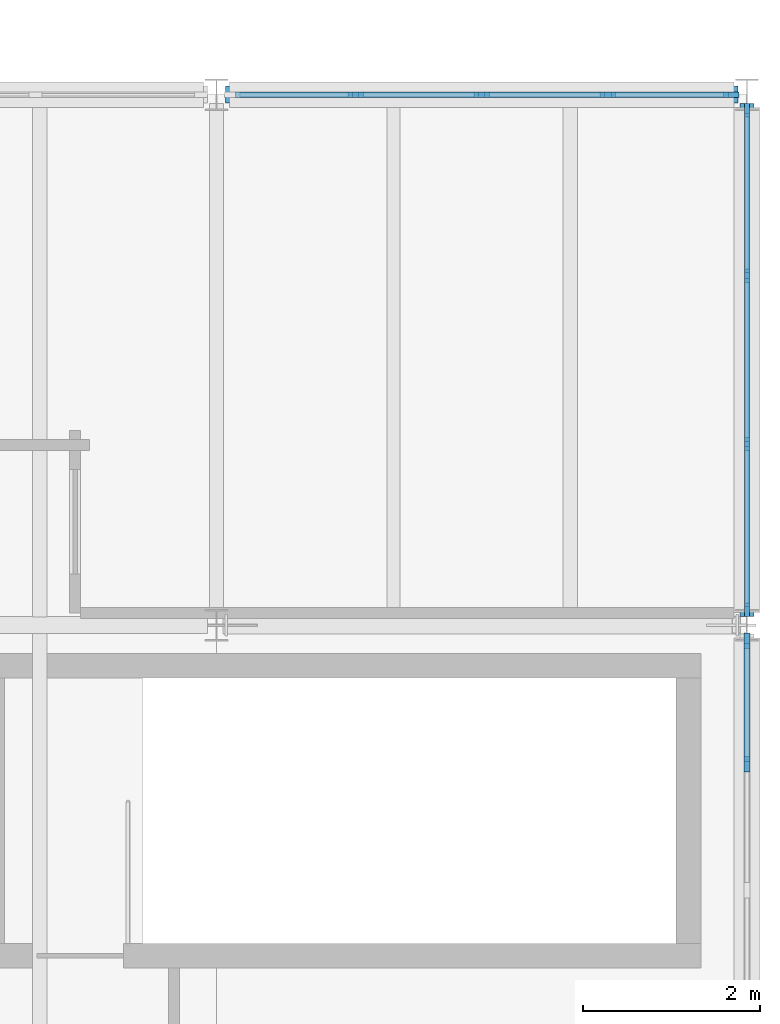
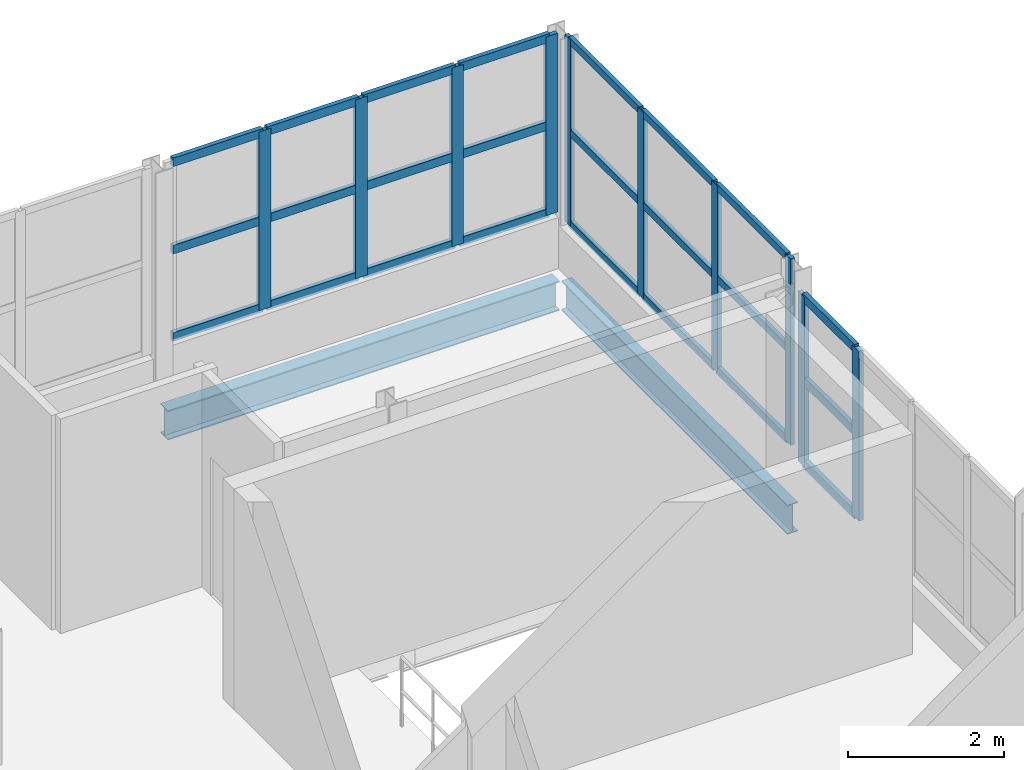
# One storey, part 9 of 20: 34 members, 2 beams, 3 elements without a shape of their own.
"""IFC4 building model written with IfcOpenShell, lengths in metres."""

from ifc_helpers import new_model, si_unit, direction, frame, origin, origin_2d, place, context, subcontext, project, spatial, rectangle, i_section, extrude, material, material_profile, profile_set, type_object, element, aggregate, save


model = new_model("IFC4")

# Units and contexts
model_context = context("Model", 3, precision=1e-05, world=origin(), true_north=direction((0.0, 1.0)))
body_context = subcontext(model_context, "Body", "Model", "MODEL_VIEW")
ifc_project = project(units=[si_unit("LENGTHUNIT", "METRE"), si_unit("AREAUNIT", "SQUARE_METRE"), si_unit("VOLUMEUNIT", "CUBIC_METRE"), si_unit("PLANEANGLEUNIT", "RADIAN"), si_unit("MASSUNIT", "GRAM", prefix="KILO")], contexts=[model_context])

# Site, building, storey
site_placement = place(None, origin())
site = spatial("IfcSite", under=ifc_project, at=site_placement, CompositionType="ELEMENT")
building_placement = place(site_placement, origin())
building = spatial("IfcBuilding", under=site, at=building_placement, Name="Siltcreek Boulevard Central Fire Station", CompositionType="ELEMENT")
storey_placement = place(building_placement, frame((0.0, 0.0, 18.0)))
storey = spatial("IfcBuildingStorey", under=building, at=storey_placement, Name="L05", CompositionType="ELEMENT", Elevation=18.0)

# Beams
ifc_material_1 = material(Name="Structural steel ASTM A992 Gr50", Category="steel")
ifc_material_profile_1 = material_profile(ifc_material_1, i_section(OverallWidth=0.154052734375, OverallDepth=0.458984375, WebThickness=0.009033203125, FlangeThickness=0.015380859375, at=origin_2d()), Name="W460X68")
ifc_profile_set_1 = profile_set([ifc_material_profile_1], Name="Structural steel ASTM A992 Gr50")
beam_type_1 = type_object("IfcBeamType", Name="BM_W460X68", PredefinedType="BEAM", material=ifc_profile_set_1)
beam_1_placement = place(storey_placement, frame((154.199951171875, 106.300048828125, -0.469482421875), z_axis=(0.0, 1.0, 0.0), x_axis=(-1.0, 0.0, 0.0)))
element("IfcBeam", 1, at=beam_1_placement, inside=storey, type_object=beam_type_1, Name="L05 primary steel girder GY-0662", PredefinedType="BEAM", context=body_context, shape_type="SweptSolid", body=[
    extrude(i_section(OverallWidth=0.154052734375, OverallDepth=0.458984375, WebThickness=0.009033203125, FlangeThickness=0.015380859375, at=origin_2d()), origin(), (0.0, 0.0, 1.0), 5.800048828125),
])
ifc_material_profile_2 = material_profile(ifc_material_1, i_section(OverallWidth=0.19189453125, OverallDepth=0.462890625, WebThickness=0.010498046875, FlangeThickness=0.017578125, at=origin_2d()), Name="W460X89")
ifc_profile_set_2 = profile_set([ifc_material_profile_2], Name="Structural steel ASTM A992 Gr50")
beam_type_2 = type_object("IfcBeamType", Name="BM_W460X89", PredefinedType="BEAM", material=ifc_profile_set_2)
beam_2_placement = place(storey_placement, frame((148.300048828125, 112.199951171875, -0.471435546875), z_axis=(1.0, 0.0, 0.0), x_axis=(0.0, 1.0, 0.0)))
element("IfcBeam", 2, at=beam_2_placement, inside=storey, type_object=beam_type_2, Name="L05 primary steel girder GX-0640", PredefinedType="BEAM", context=body_context, shape_type="SweptSolid", body=[
    extrude(i_section(OverallWidth=0.19189453125, OverallDepth=0.462890625, WebThickness=0.010498046875, FlangeThickness=0.017578125, at=origin_2d()), origin(), (0.0, 0.0, 1.0), 5.800048828125),
])

# Curtain wall, members
ifc_material_2 = material(Name="Anodized aluminum and low-E insulated glazing", Category="aluminium")
curtain_wall_type_1 = type_object("IfcCurtainWallType", Name="CW_SYS_04", PredefinedType="USERDEFINED", material=ifc_material_2)
curtain_wall_1_placement = place(storey_placement, origin())
curtain_wall_1 = element("IfcCurtainWall", 3, at=curtain_wall_1_placement, inside=storey, type_object=curtain_wall_type_1, Name="L05 V5 unitised curtain wall CW-183", ObjectType="CURTAIN WALL", PredefinedType="USERDEFINED")
ifc_material_3 = material(Name="Anodized 6063-T6 aluminum framing", Category="aluminium")
ifc_material_profile_3 = material_profile(ifc_material_3, rectangle(XDim=0.06005859375, YDim=0.14990234375, at=origin_2d()), Name="MULL60X150")
ifc_profile_set_3 = profile_set([ifc_material_profile_3], Name="Anodized 6063-T6 aluminum framing")
member_type_1 = type_object("IfcMemberType", Name="CWM_60X150", PredefinedType="MULLION", material=ifc_profile_set_3)
member_1_placement = place(storey_placement, frame((154.199951171875, 106.375, 0.679931640625), z_axis=(0.0, 0.0, 1.0), x_axis=(-1.0, 0.0, 0.0)))
member_1 = element("IfcMember", 4, at=member_1_placement, type_object=member_type_1, Name="CW-183 mullion 1", PredefinedType="MULLION", context=body_context, shape_type="SweptSolid", body=[
    extrude(rectangle(XDim=0.06005859375, YDim=0.14990234375, at=origin_2d()), origin(), (0.0, 0.0, 1.0), 2.920166015625),
])
member_2_placement = place(storey_placement, frame((154.199951171875, 108.248291015625, 0.679931640625), z_axis=(0.0, 0.0, 1.0), x_axis=(-1.0, 0.0, 0.0)))
member_2 = element("IfcMember", 5, at=member_2_placement, type_object=member_type_1, Name="CW-183 mullion 2", PredefinedType="MULLION", context=body_context, shape_type="SweptSolid", body=[
    extrude(rectangle(XDim=0.06005859375, YDim=0.14990234375, at=origin_2d()), origin(), (0.0, 0.0, 1.0), 2.920166015625),
])
member_3_placement = place(storey_placement, frame((154.199951171875, 110.151611328125, 0.679931640625), z_axis=(0.0, 0.0, 1.0), x_axis=(-1.0, 0.0, 0.0)))
member_3 = element("IfcMember", 6, at=member_3_placement, type_object=member_type_1, Name="CW-183 mullion 3", PredefinedType="MULLION", context=body_context, shape_type="SweptSolid", body=[
    extrude(rectangle(XDim=0.06005859375, YDim=0.14990234375, at=origin_2d()), origin(), (0.0, 0.0, 1.0), 2.920166015625),
])
member_4_placement = place(storey_placement, frame((154.199951171875, 112.02490234375, 0.679931640625), z_axis=(0.0, 0.0, 1.0), x_axis=(-1.0, 0.0, 0.0)))
member_4 = element("IfcMember", 7, at=member_4_placement, type_object=member_type_1, Name="CW-183 mullion 4", PredefinedType="MULLION", context=body_context, shape_type="SweptSolid", body=[
    extrude(rectangle(XDim=0.06005859375, YDim=0.14990234375, at=origin_2d()), origin(), (0.0, 0.0, 1.0), 2.920166015625),
])

curtain_wall_type_2 = type_object("IfcCurtainWallType", Name="CW_SYS_29", PredefinedType="USERDEFINED", material=ifc_material_2)
curtain_wall_2_placement = place(storey_placement, origin())
curtain_wall_2 = element("IfcCurtainWall", 8, at=curtain_wall_2_placement, inside=storey, type_object=curtain_wall_type_2, Name="L05 V5 unitised curtain wall CW-178", ObjectType="CURTAIN WALL", PredefinedType="USERDEFINED")
ifc_material_profile_4 = material_profile(ifc_material_3, rectangle(XDim=0.06494140625, YDim=0.175048828125, at=origin_2d()), Name="MULL65X175")
ifc_profile_set_4 = profile_set([ifc_material_profile_4], Name="Anodized 6063-T6 aluminum framing")
member_type_2 = type_object("IfcMemberType", Name="CWM_65X175", PredefinedType="MULLION", material=ifc_profile_set_4)
member_5_placement = place(storey_placement, frame((154.0224609375, 112.199951171875, 0.800048828125), z_axis=(0.0, 0.0, 1.0), x_axis=(0.0, -1.0, 0.0)))
member_5 = element("IfcMember", 9, at=member_5_placement, type_object=member_type_2, Name="CW-178 mullion 1", PredefinedType="MULLION", context=body_context, shape_type="SweptSolid", body=[
    extrude(rectangle(XDim=0.06494140625, YDim=0.175048828125, at=origin_2d()), origin(), (0.0, 0.0, 1.0), 2.800048828125),
])
member_6_placement = place(storey_placement, frame((152.62744140625, 112.199951171875, 0.800048828125), z_axis=(0.0, 0.0, 1.0), x_axis=(0.0, -1.0, 0.0)))
member_6 = element("IfcMember", 10, at=member_6_placement, type_object=member_type_2, Name="CW-178 mullion 2", PredefinedType="MULLION", context=body_context, shape_type="SweptSolid", body=[
    extrude(rectangle(XDim=0.06494140625, YDim=0.175048828125, at=origin_2d()), origin(), (0.0, 0.0, 1.0), 2.800048828125),
])
member_7_placement = place(storey_placement, frame((151.199951171875, 112.199951171875, 0.800048828125), z_axis=(0.0, 0.0, 1.0), x_axis=(0.0, -1.0, 0.0)))
member_7 = element("IfcMember", 11, at=member_7_placement, type_object=member_type_2, Name="CW-178 mullion 3", PredefinedType="MULLION", context=body_context, shape_type="SweptSolid", body=[
    extrude(rectangle(XDim=0.06494140625, YDim=0.175048828125, at=origin_2d()), origin(), (0.0, 0.0, 1.0), 2.800048828125),
])
member_8_placement = place(storey_placement, frame((149.7724609375, 112.199951171875, 0.800048828125), z_axis=(0.0, 0.0, 1.0), x_axis=(0.0, -1.0, 0.0)))
member_8 = element("IfcMember", 12, at=member_8_placement, type_object=member_type_2, Name="CW-178 mullion 4", PredefinedType="MULLION", context=body_context, shape_type="SweptSolid", body=[
    extrude(rectangle(XDim=0.06494140625, YDim=0.175048828125, at=origin_2d()), origin(), (0.0, 0.0, 1.0), 2.800048828125),
])

curtain_wall_type_3 = type_object("IfcCurtainWallType", Name="CW_SYS_03", PredefinedType="USERDEFINED", material=ifc_material_2)
curtain_wall_3_placement = place(storey_placement, origin())
curtain_wall_3 = element("IfcCurtainWall", 13, at=curtain_wall_3_placement, inside=storey, type_object=curtain_wall_type_3, Name="L05 V5 unitised curtain wall CW-182", ObjectType="CURTAIN WALL", PredefinedType="USERDEFINED")
member_9_placement = place(storey_placement, frame((154.199951171875, 104.62744140625, 0.56005859375), z_axis=(0.0, 0.0, 1.0), x_axis=(-1.0, 0.0, 0.0)))
member_9 = element("IfcMember", 14, at=member_9_placement, type_object=member_type_2, Name="CW-182 mullion 4", PredefinedType="MULLION", context=body_context, shape_type="SweptSolid", body=[
    extrude(rectangle(XDim=0.06494140625, YDim=0.175048828125, at=origin_2d()), origin(), (0.0, 0.0, 1.0), 2.658935546875),
])
member_10_placement = place(storey_placement, frame((154.199951171875, 106.0224609375, 0.56005859375), z_axis=(0.0, 0.0, 1.0), x_axis=(-1.0, 0.0, 0.0)))
member_10 = element("IfcMember", 15, at=member_10_placement, type_object=member_type_2, Name="CW-182 mullion 5", PredefinedType="MULLION", context=body_context, shape_type="SweptSolid", body=[
    extrude(rectangle(XDim=0.06494140625, YDim=0.175048828125, at=origin_2d()), origin(), (0.0, 0.0, 1.0), 2.658935546875),
])

# Member
ifc_material_profile_5 = material_profile(ifc_material_3, rectangle(XDim=0.06005859375, YDim=0.114990234375, at=origin_2d()), Name="TRAN60X115")
ifc_profile_set_5 = profile_set([ifc_material_profile_5], Name="Anodized 6063-T6 aluminum framing")
member_type_3 = type_object("IfcMemberType", Name="CWT_60X115", PredefinedType="USERDEFINED", material=ifc_profile_set_5)
member_11_placement = place(storey_placement, frame((154.199951171875, 106.405029296875, 0.7099609375), z_axis=(0.0, 1.0, 0.0), x_axis=(-1.0, 0.0, 0.0)))
member_11 = element("IfcMember", 16, at=member_11_placement, type_object=member_type_3, Name="CW-183 transom 1.1", ObjectType="TRANSOM", PredefinedType="USERDEFINED", context=body_context, shape_type="SweptSolid", body=[
    extrude(rectangle(XDim=0.06005859375, YDim=0.114990234375, at=origin_2d()), origin(), (0.0, 0.0, 1.0), 1.813232421875),
])

member_12_placement = place(storey_placement, frame((154.199951171875, 106.405029296875, 2.139892578125), z_axis=(0.0, 1.0, 0.0), x_axis=(-1.0, 0.0, 0.0)))
member_12 = element("IfcMember", 17, at=member_12_placement, type_object=member_type_3, Name="CW-183 transom 1.2", ObjectType="TRANSOM", PredefinedType="USERDEFINED", context=body_context, shape_type="SweptSolid", body=[
    extrude(rectangle(XDim=0.06005859375, YDim=0.114990234375, at=origin_2d()), origin(), (0.0, 0.0, 1.0), 1.813232421875),
])

member_13_placement = place(storey_placement, frame((154.199951171875, 106.405029296875, 3.570068359375), z_axis=(0.0, 1.0, 0.0), x_axis=(-1.0, 0.0, 0.0)))
member_13 = element("IfcMember", 18, at=member_13_placement, type_object=member_type_3, Name="CW-183 transom 1.3", ObjectType="TRANSOM", PredefinedType="USERDEFINED", context=body_context, shape_type="SweptSolid", body=[
    extrude(rectangle(XDim=0.06005859375, YDim=0.114990234375, at=origin_2d()), origin(), (0.0, 0.0, 1.0), 1.813232421875),
])

member_14_placement = place(storey_placement, frame((154.199951171875, 108.2783203125, 0.7099609375), z_axis=(0.0, 1.0, 0.0), x_axis=(-1.0, 0.0, 0.0)))
member_14 = element("IfcMember", 19, at=member_14_placement, type_object=member_type_3, Name="CW-183 transom 2.1", ObjectType="TRANSOM", PredefinedType="USERDEFINED", context=body_context, shape_type="SweptSolid", body=[
    extrude(rectangle(XDim=0.06005859375, YDim=0.114990234375, at=origin_2d()), origin(), (0.0, 0.0, 1.0), 1.84326171875),
])

member_15_placement = place(storey_placement, frame((154.199951171875, 108.2783203125, 2.139892578125), z_axis=(0.0, 1.0, 0.0), x_axis=(-1.0, 0.0, 0.0)))
member_15 = element("IfcMember", 20, at=member_15_placement, type_object=member_type_3, Name="CW-183 transom 2.2", ObjectType="TRANSOM", PredefinedType="USERDEFINED", context=body_context, shape_type="SweptSolid", body=[
    extrude(rectangle(XDim=0.06005859375, YDim=0.114990234375, at=origin_2d()), origin(), (0.0, 0.0, 1.0), 1.84326171875),
])

member_16_placement = place(storey_placement, frame((154.199951171875, 108.2783203125, 3.570068359375), z_axis=(0.0, 1.0, 0.0), x_axis=(-1.0, 0.0, 0.0)))
member_16 = element("IfcMember", 21, at=member_16_placement, type_object=member_type_3, Name="CW-183 transom 2.3", ObjectType="TRANSOM", PredefinedType="USERDEFINED", context=body_context, shape_type="SweptSolid", body=[
    extrude(rectangle(XDim=0.06005859375, YDim=0.114990234375, at=origin_2d()), origin(), (0.0, 0.0, 1.0), 1.84326171875),
])

member_17_placement = place(storey_placement, frame((154.199951171875, 110.181640625, 0.7099609375), z_axis=(0.0, 1.0, 0.0), x_axis=(-1.0, 0.0, 0.0)))
member_17 = element("IfcMember", 22, at=member_17_placement, type_object=member_type_3, Name="CW-183 transom 3.1", ObjectType="TRANSOM", PredefinedType="USERDEFINED", context=body_context, shape_type="SweptSolid", body=[
    extrude(rectangle(XDim=0.06005859375, YDim=0.114990234375, at=origin_2d()), origin(), (0.0, 0.0, 1.0), 1.8134765625),
])

member_18_placement = place(storey_placement, frame((154.199951171875, 110.181640625, 2.139892578125), z_axis=(0.0, 1.0, 0.0), x_axis=(-1.0, 0.0, 0.0)))
member_18 = element("IfcMember", 23, at=member_18_placement, type_object=member_type_3, Name="CW-183 transom 3.2", ObjectType="TRANSOM", PredefinedType="USERDEFINED", context=body_context, shape_type="SweptSolid", body=[
    extrude(rectangle(XDim=0.06005859375, YDim=0.114990234375, at=origin_2d()), origin(), (0.0, 0.0, 1.0), 1.8134765625),
])

member_19_placement = place(storey_placement, frame((154.199951171875, 110.181640625, 3.570068359375), z_axis=(0.0, 1.0, 0.0), x_axis=(-1.0, 0.0, 0.0)))
member_19 = element("IfcMember", 24, at=member_19_placement, type_object=member_type_3, Name="CW-183 transom 3.3", ObjectType="TRANSOM", PredefinedType="USERDEFINED", context=body_context, shape_type="SweptSolid", body=[
    extrude(rectangle(XDim=0.06005859375, YDim=0.114990234375, at=origin_2d()), origin(), (0.0, 0.0, 1.0), 1.8134765625),
])

aggregate(curtain_wall_1, [member_1, member_2, member_3, member_4, member_11, member_12, member_13, member_14, member_15, member_16, member_17, member_18, member_19])

ifc_material_profile_6 = material_profile(ifc_material_3, rectangle(XDim=0.06494140625, YDim=0.135009765625, at=origin_2d()), Name="TRAN65X135")
ifc_profile_set_6 = profile_set([ifc_material_profile_6], Name="Anodized 6063-T6 aluminum framing")
member_type_4 = type_object("IfcMemberType", Name="CWT_65X135", PredefinedType="USERDEFINED", material=ifc_profile_set_6)
member_20_placement = place(storey_placement, frame((153.989990234375, 112.199951171875, 0.83251953125), z_axis=(-1.0, 0.0, 0.0), x_axis=(0.0, -1.0, 0.0)))
member_20 = element("IfcMember", 25, at=member_20_placement, type_object=member_type_4, Name="CW-178 transom 1.1", ObjectType="TRANSOM", PredefinedType="USERDEFINED", context=body_context, shape_type="SweptSolid", body=[
    extrude(rectangle(XDim=0.06494140625, YDim=0.135009765625, at=origin_2d()), origin(), (0.0, 0.0, 1.0), 1.330078125),
])

member_21_placement = place(storey_placement, frame((153.989990234375, 112.199951171875, 2.199951171875), z_axis=(-1.0, 0.0, 0.0), x_axis=(0.0, -1.0, 0.0)))
member_21 = element("IfcMember", 26, at=member_21_placement, type_object=member_type_4, Name="CW-178 transom 1.2", ObjectType="TRANSOM", PredefinedType="USERDEFINED", context=body_context, shape_type="SweptSolid", body=[
    extrude(rectangle(XDim=0.06494140625, YDim=0.135009765625, at=origin_2d()), origin(), (0.0, 0.0, 1.0), 1.330078125),
])

member_22_placement = place(storey_placement, frame((153.989990234375, 112.199951171875, 3.5673828125), z_axis=(-1.0, 0.0, 0.0), x_axis=(0.0, -1.0, 0.0)))
member_22 = element("IfcMember", 27, at=member_22_placement, type_object=member_type_4, Name="CW-178 transom 1.3", ObjectType="TRANSOM", PredefinedType="USERDEFINED", context=body_context, shape_type="SweptSolid", body=[
    extrude(rectangle(XDim=0.06494140625, YDim=0.135009765625, at=origin_2d()), origin(), (0.0, 0.0, 1.0), 1.330078125),
])

member_23_placement = place(storey_placement, frame((152.594970703125, 112.199951171875, 0.83251953125), z_axis=(-1.0, 0.0, 0.0), x_axis=(0.0, -1.0, 0.0)))
member_23 = element("IfcMember", 28, at=member_23_placement, type_object=member_type_4, Name="CW-178 transom 2.1", ObjectType="TRANSOM", PredefinedType="USERDEFINED", context=body_context, shape_type="SweptSolid", body=[
    extrude(rectangle(XDim=0.06494140625, YDim=0.135009765625, at=origin_2d()), origin(), (0.0, 0.0, 1.0), 1.362548828125),
])

member_24_placement = place(storey_placement, frame((152.594970703125, 112.199951171875, 2.199951171875), z_axis=(-1.0, 0.0, 0.0), x_axis=(0.0, -1.0, 0.0)))
member_24 = element("IfcMember", 29, at=member_24_placement, type_object=member_type_4, Name="CW-178 transom 2.2", ObjectType="TRANSOM", PredefinedType="USERDEFINED", context=body_context, shape_type="SweptSolid", body=[
    extrude(rectangle(XDim=0.06494140625, YDim=0.135009765625, at=origin_2d()), origin(), (0.0, 0.0, 1.0), 1.362548828125),
])

member_25_placement = place(storey_placement, frame((152.594970703125, 112.199951171875, 3.5673828125), z_axis=(-1.0, 0.0, 0.0), x_axis=(0.0, -1.0, 0.0)))
member_25 = element("IfcMember", 30, at=member_25_placement, type_object=member_type_4, Name="CW-178 transom 2.3", ObjectType="TRANSOM", PredefinedType="USERDEFINED", context=body_context, shape_type="SweptSolid", body=[
    extrude(rectangle(XDim=0.06494140625, YDim=0.135009765625, at=origin_2d()), origin(), (0.0, 0.0, 1.0), 1.362548828125),
])

member_26_placement = place(storey_placement, frame((151.16748046875, 112.199951171875, 0.83251953125), z_axis=(-1.0, 0.0, 0.0), x_axis=(0.0, -1.0, 0.0)))
member_26 = element("IfcMember", 31, at=member_26_placement, type_object=member_type_4, Name="CW-178 transom 3.1", ObjectType="TRANSOM", PredefinedType="USERDEFINED", context=body_context, shape_type="SweptSolid", body=[
    extrude(rectangle(XDim=0.06494140625, YDim=0.135009765625, at=origin_2d()), origin(), (0.0, 0.0, 1.0), 1.362548828125),
])

member_27_placement = place(storey_placement, frame((151.16748046875, 112.199951171875, 2.199951171875), z_axis=(-1.0, 0.0, 0.0), x_axis=(0.0, -1.0, 0.0)))
member_27 = element("IfcMember", 32, at=member_27_placement, type_object=member_type_4, Name="CW-178 transom 3.2", ObjectType="TRANSOM", PredefinedType="USERDEFINED", context=body_context, shape_type="SweptSolid", body=[
    extrude(rectangle(XDim=0.06494140625, YDim=0.135009765625, at=origin_2d()), origin(), (0.0, 0.0, 1.0), 1.362548828125),
])

member_28_placement = place(storey_placement, frame((151.16748046875, 112.199951171875, 3.5673828125), z_axis=(-1.0, 0.0, 0.0), x_axis=(0.0, -1.0, 0.0)))
member_28 = element("IfcMember", 33, at=member_28_placement, type_object=member_type_4, Name="CW-178 transom 3.3", ObjectType="TRANSOM", PredefinedType="USERDEFINED", context=body_context, shape_type="SweptSolid", body=[
    extrude(rectangle(XDim=0.06494140625, YDim=0.135009765625, at=origin_2d()), origin(), (0.0, 0.0, 1.0), 1.362548828125),
])

member_29_placement = place(storey_placement, frame((149.739990234375, 112.199951171875, 0.83251953125), z_axis=(-1.0, 0.0, 0.0), x_axis=(0.0, -1.0, 0.0)))
member_29 = element("IfcMember", 34, at=member_29_placement, type_object=member_type_4, Name="CW-178 transom 4.1", ObjectType="TRANSOM", PredefinedType="USERDEFINED", context=body_context, shape_type="SweptSolid", body=[
    extrude(rectangle(XDim=0.06494140625, YDim=0.135009765625, at=origin_2d()), origin(), (0.0, 0.0, 1.0), 1.330078125),
])

member_30_placement = place(storey_placement, frame((149.739990234375, 112.199951171875, 2.199951171875), z_axis=(-1.0, 0.0, 0.0), x_axis=(0.0, -1.0, 0.0)))
member_30 = element("IfcMember", 35, at=member_30_placement, type_object=member_type_4, Name="CW-178 transom 4.2", ObjectType="TRANSOM", PredefinedType="USERDEFINED", context=body_context, shape_type="SweptSolid", body=[
    extrude(rectangle(XDim=0.06494140625, YDim=0.135009765625, at=origin_2d()), origin(), (0.0, 0.0, 1.0), 1.330078125),
])

member_31_placement = place(storey_placement, frame((149.739990234375, 112.199951171875, 3.5673828125), z_axis=(-1.0, 0.0, 0.0), x_axis=(0.0, -1.0, 0.0)))
member_31 = element("IfcMember", 36, at=member_31_placement, type_object=member_type_4, Name="CW-178 transom 4.3", ObjectType="TRANSOM", PredefinedType="USERDEFINED", context=body_context, shape_type="SweptSolid", body=[
    extrude(rectangle(XDim=0.06494140625, YDim=0.135009765625, at=origin_2d()), origin(), (0.0, 0.0, 1.0), 1.330078125),
])

aggregate(curtain_wall_2, [member_5, member_6, member_7, member_8, member_20, member_21, member_22, member_23, member_24, member_25, member_26, member_27, member_28, member_29, member_30, member_31])

member_32_placement = place(storey_placement, frame((154.199951171875, 104.659912109375, 0.592529296875), z_axis=(0.0, 1.0, 0.0), x_axis=(-1.0, 0.0, 0.0)))
member_32 = element("IfcMember", 37, at=member_32_placement, type_object=member_type_4, Name="CW-182 transom 4.1", ObjectType="TRANSOM", PredefinedType="USERDEFINED", context=body_context, shape_type="SweptSolid", body=[
    extrude(rectangle(XDim=0.06494140625, YDim=0.135009765625, at=origin_2d()), origin(), (0.0, 0.0, 1.0), 1.330078125),
])

member_33_placement = place(storey_placement, frame((154.199951171875, 104.659912109375, 1.889404296875), z_axis=(0.0, 1.0, 0.0), x_axis=(-1.0, 0.0, 0.0)))
member_33 = element("IfcMember", 38, at=member_33_placement, type_object=member_type_4, Name="CW-182 transom 4.2", ObjectType="TRANSOM", PredefinedType="USERDEFINED", context=body_context, shape_type="SweptSolid", body=[
    extrude(rectangle(XDim=0.06494140625, YDim=0.135009765625, at=origin_2d()), origin(), (0.0, 0.0, 1.0), 1.330078125),
])

member_34_placement = place(storey_placement, frame((154.199951171875, 104.659912109375, 3.1865234375), z_axis=(0.0, 1.0, 0.0), x_axis=(-1.0, 0.0, 0.0)))
member_34 = element("IfcMember", 39, at=member_34_placement, type_object=member_type_4, Name="CW-182 transom 4.3", ObjectType="TRANSOM", PredefinedType="USERDEFINED", context=body_context, shape_type="SweptSolid", body=[
    extrude(rectangle(XDim=0.06494140625, YDim=0.135009765625, at=origin_2d()), origin(), (0.0, 0.0, 1.0), 1.330078125),
])

aggregate(curtain_wall_3, [member_9, member_10, member_32, member_33, member_34])

save(model, "model.ifc")
